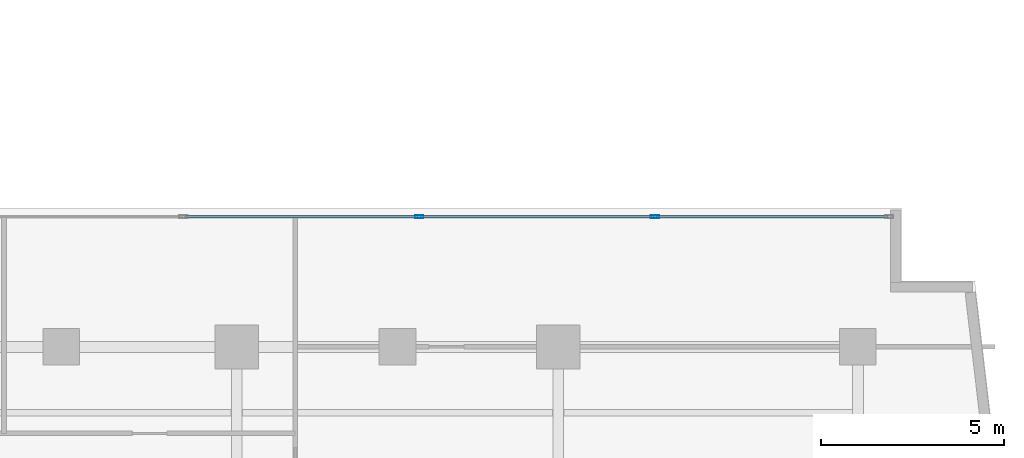
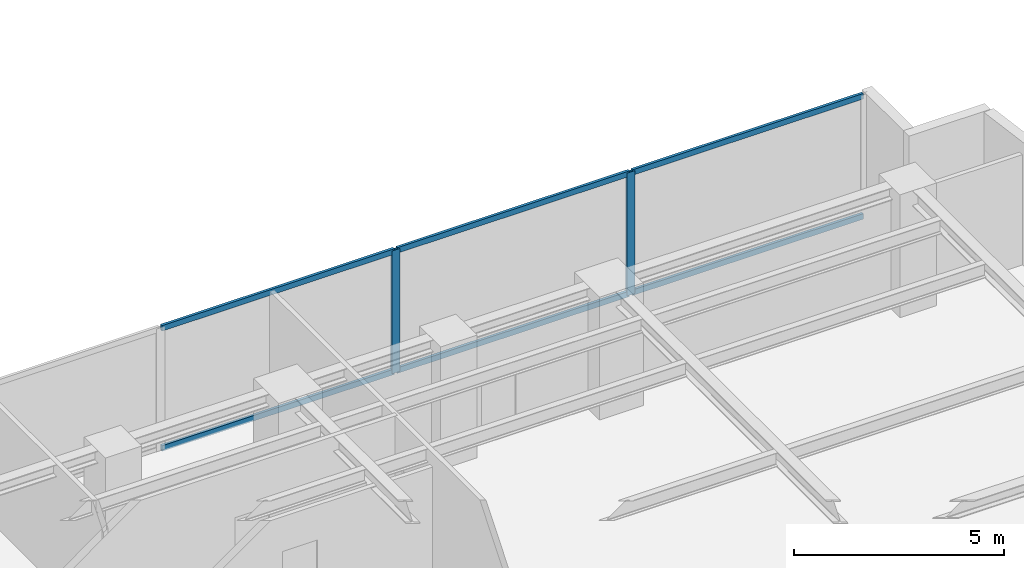
# One storey, part 13 of 24: 8 members, 1 element without a shape of its own.
"""IFC4 building model written with IfcOpenShell, lengths in metres."""

from ifc_helpers import new_model, si_unit, direction, frame, origin, origin_with_axes, origin_2d, place, context, subcontext, project, spatial, hollow_rectangle, extrude, source, transform, mapped, material, layer, layer_set, material_profile, profile_set, type_object, element, aggregate, save


model = new_model("IFC4")

# Units and contexts
model_context = context("Model", 3, precision=1e-05, world=origin(), true_north=direction((0.0, 1.0)))
body_context = subcontext(model_context, "Body", "Model", "MODEL_VIEW")
ifc_project = project(units=[si_unit("LENGTHUNIT", "METRE"), si_unit("AREAUNIT", "SQUARE_METRE"), si_unit("VOLUMEUNIT", "CUBIC_METRE"), si_unit("PLANEANGLEUNIT", "RADIAN"), si_unit("MASSUNIT", "GRAM", prefix="KILO")], contexts=[model_context])

# Site, building, storey
site_placement = place(None, origin())
site = spatial("IfcSite", under=ifc_project, at=site_placement, CompositionType="ELEMENT")
building_placement = place(site_placement, origin())
building = spatial("IfcBuilding", under=site, at=building_placement, Name="Kolvaren Waterfront Exchange", CompositionType="ELEMENT")
storey_placement = place(building_placement, frame((0.0, 0.0, 172.800048828125)))
storey = spatial("IfcBuildingStorey", under=building, at=storey_placement, Name="L44", CompositionType="ELEMENT", Elevation=172.800048828125)

# Curtain wall, members
ifc_material_1 = material(Name="Anodised bronze aluminium 6063-T6", Category="aluminium")
ifc_layer = layer(ifc_material_1, 0.219970703125, Name="Anodised bronze aluminium 6063-T6")
ifc_layer_set = layer_set([ifc_layer], Name="Anodised bronze aluminium 6063-T6")
curtain_wall_type = type_object("IfcCurtainWallType", Name="ARC-CW-SYS1", PredefinedType="USERDEFINED", material=ifc_layer_set)
curtain_wall_placement = place(storey_placement, origin())
curtain_wall = element("IfcCurtainWall", 1, at=curtain_wall_placement, inside=storey, type_object=curtain_wall_type, Name="L44 stick curtain wall CW1 (CW-L44-EN)", ObjectType="STICK CURTAIN WALL", PredefinedType="USERDEFINED")
ifc_material_2 = material(Name="Anodised aluminium 6063-T6", Category="aluminium")
ifc_material_profile_1 = material_profile(ifc_material_2, hollow_rectangle(XDim=0.080078125, YDim=0.219970703125, WallThickness=0.0048828125, at=origin_2d()), Name="ALU-MUL-220x80x5")
ifc_profile_set_1 = profile_set([ifc_material_profile_1], Name="Anodised aluminium 6063-T6")
member_type_1 = type_object("IfcMemberType", Name="ARC-CWM-220", PredefinedType="MULLION", material=ifc_profile_set_1)
shared_shape_1 = source(origin_with_axes(), body_context, "Body", "SweptSolid", [
    extrude(hollow_rectangle(XDim=0.080078125, YDim=0.219970703125, WallThickness=0.0048828125, at=origin_2d()), origin(), (0.0, 0.0, 1.0), 3.56005859375),
])
member_1_placement = place(storey_placement, frame((41.794921875, 20.9599609375, 0.0), z_axis=(0.0, 0.0, 1.0), x_axis=(0.0, 1.0, 0.0)))
member_1 = element("IfcMember", 2, at=member_1_placement, type_object=member_type_1, Name="CW1 mullion 3", PredefinedType="MULLION", context=body_context, shape_type="MappedRepresentation", body=[
    mapped(shared_shape_1, transform((0.0, 0.0, 0.0), x_axis=(1.0, 0.0, 0.0), y_axis=(0.0, 1.0, 0.0), z_axis=(0.0, 0.0, 1.0), scale=1.0)),
])
member_2_placement = place(storey_placement, frame((48.24755859375, 20.9599609375, 0.0), z_axis=(0.0, 0.0, 1.0), x_axis=(0.0, 1.0, 0.0)))
member_2 = element("IfcMember", 3, at=member_2_placement, type_object=member_type_1, Name="CW1 mullion 4", PredefinedType="MULLION", context=body_context, shape_type="MappedRepresentation", body=[
    mapped(shared_shape_1, transform((0.0, 0.0, 0.0), x_axis=(1.0, 0.0, 0.0), y_axis=(0.0, 1.0, 0.0), z_axis=(0.0, 0.0, 1.0), scale=1.0)),
])
ifc_material_profile_2 = material_profile(ifc_material_2, hollow_rectangle(XDim=0.074951171875, YDim=0.159912109375, WallThickness=0.00439453125, at=origin_2d()), Name="ALU-TRN-160x75x4.5")
ifc_profile_set_2 = profile_set([ifc_material_profile_2], Name="Anodised aluminium 6063-T6")
member_type_2 = type_object("IfcMemberType", Name="ARC-CWT-160", PredefinedType="USERDEFINED", material=ifc_profile_set_2)
shared_shape_2 = source(origin_with_axes(), body_context, "Body", "SweptSolid", [
    extrude(hollow_rectangle(XDim=0.074951171875, YDim=0.159912109375, WallThickness=0.00439453125, at=origin_2d()), origin(), (0.0, 0.0, 1.0), 6.33251953125),
])
member_3_placement = place(storey_placement, frame((48.28759765625, 20.9599609375, 0.037353515625), z_axis=(1.0, 0.0, 0.0), x_axis=(0.0, 1.0, 0.0)))
member_3 = element("IfcMember", 4, at=member_3_placement, type_object=member_type_2, Name="CW1 transom 4.1", ObjectType="TRANSOM", PredefinedType="USERDEFINED", context=body_context, shape_type="MappedRepresentation", body=[
    mapped(shared_shape_2, transform((0.0, 0.0, 0.0), x_axis=(1.0, 0.0, 0.0), y_axis=(0.0, 1.0, 0.0), z_axis=(0.0, 0.0, 1.0), scale=1.0)),
])
member_4_placement = place(storey_placement, frame((48.28759765625, 20.9599609375, 3.5224609375), z_axis=(1.0, 0.0, 0.0), x_axis=(0.0, 1.0, 0.0)))
member_4 = element("IfcMember", 5, at=member_4_placement, type_object=member_type_2, Name="CW1 transom 4.2", ObjectType="TRANSOM", PredefinedType="USERDEFINED", context=body_context, shape_type="MappedRepresentation", body=[
    mapped(shared_shape_2, transform((0.0, 0.0, 0.0), x_axis=(1.0, 0.0, 0.0), y_axis=(0.0, 1.0, 0.0), z_axis=(0.0, 0.0, 1.0), scale=1.0)),
])
shared_shape_3 = source(origin_with_axes(), body_context, "Body", "SweptSolid", [
    extrude(hollow_rectangle(XDim=0.074951171875, YDim=0.159912109375, WallThickness=0.00439453125, at=origin_2d()), origin(), (0.0, 0.0, 1.0), 6.372314453125),
])
member_5_placement = place(storey_placement, frame((35.382568359375, 20.9599609375, 0.037353515625), z_axis=(1.0, 0.0, 0.0), x_axis=(0.0, 1.0, 0.0)))
member_5 = element("IfcMember", 6, at=member_5_placement, type_object=member_type_2, Name="CW1 transom 2.1", ObjectType="TRANSOM", PredefinedType="USERDEFINED", context=body_context, shape_type="MappedRepresentation", body=[
    mapped(shared_shape_3, transform((0.0, 0.0, 0.0), x_axis=(1.0, 0.0, 0.0), y_axis=(0.0, 1.0, 0.0), z_axis=(0.0, 0.0, 1.0), scale=1.0)),
])
member_6_placement = place(storey_placement, frame((35.382568359375, 20.9599609375, 3.5224609375), z_axis=(1.0, 0.0, 0.0), x_axis=(0.0, 1.0, 0.0)))
member_6 = element("IfcMember", 7, at=member_6_placement, type_object=member_type_2, Name="CW1 transom 2.2", ObjectType="TRANSOM", PredefinedType="USERDEFINED", context=body_context, shape_type="MappedRepresentation", body=[
    mapped(shared_shape_3, transform((0.0, 0.0, 0.0), x_axis=(1.0, 0.0, 0.0), y_axis=(0.0, 1.0, 0.0), z_axis=(0.0, 0.0, 1.0), scale=1.0)),
])
shared_shape_4 = source(origin_with_axes(), body_context, "Body", "SweptSolid", [
    extrude(hollow_rectangle(XDim=0.074951171875, YDim=0.159912109375, WallThickness=0.00439453125, at=origin_2d()), origin(), (0.0, 0.0, 1.0), 6.37255859375),
])
member_7_placement = place(storey_placement, frame((41.8349609375, 20.9599609375, 0.037353515625), z_axis=(1.0, 0.0, 0.0), x_axis=(0.0, 1.0, 0.0)))
member_7 = element("IfcMember", 8, at=member_7_placement, type_object=member_type_2, Name="CW1 transom 3.1", ObjectType="TRANSOM", PredefinedType="USERDEFINED", context=body_context, shape_type="MappedRepresentation", body=[
    mapped(shared_shape_4, transform((0.0, 0.0, 0.0), x_axis=(1.0, 0.0, 0.0), y_axis=(0.0, 1.0, 0.0), z_axis=(0.0, 0.0, 1.0), scale=1.0)),
])
member_8_placement = place(storey_placement, frame((41.8349609375, 20.9599609375, 3.5224609375), z_axis=(1.0, 0.0, 0.0), x_axis=(0.0, 1.0, 0.0)))
member_8 = element("IfcMember", 9, at=member_8_placement, type_object=member_type_2, Name="CW1 transom 3.2", ObjectType="TRANSOM", PredefinedType="USERDEFINED", context=body_context, shape_type="MappedRepresentation", body=[
    mapped(shared_shape_4, transform((0.0, 0.0, 0.0), x_axis=(1.0, 0.0, 0.0), y_axis=(0.0, 1.0, 0.0), z_axis=(0.0, 0.0, 1.0), scale=1.0)),
])
aggregate(curtain_wall, [member_1, member_2, member_5, member_6, member_7, member_8, member_3, member_4])

save(model, "model.ifc")
